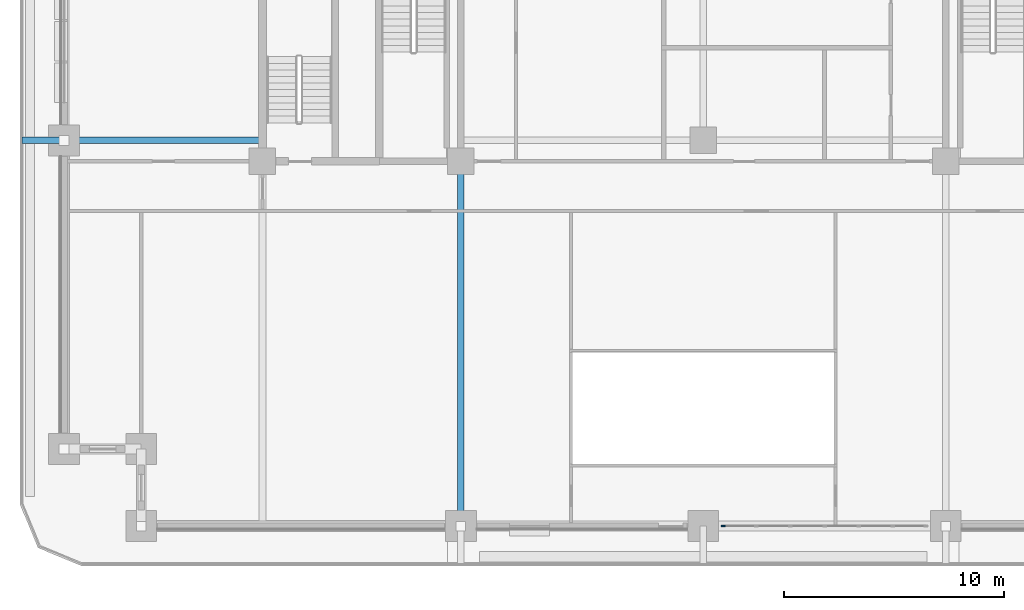
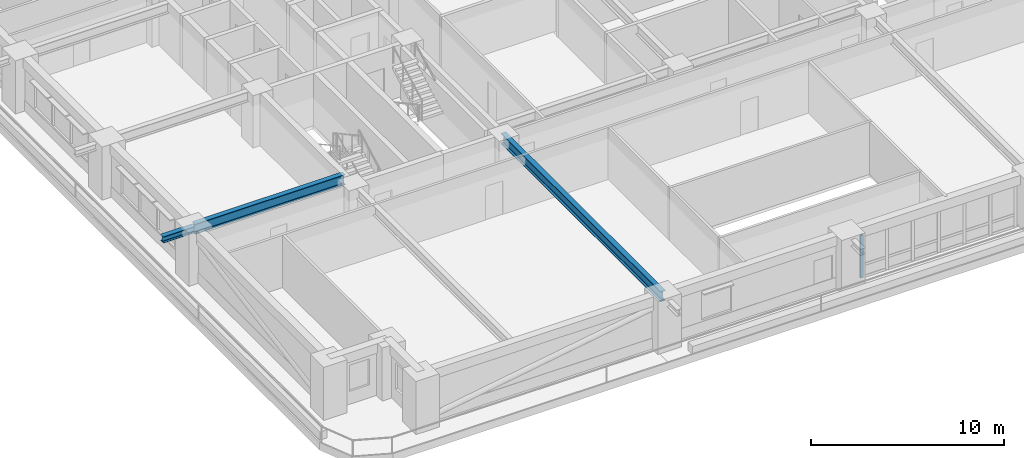
# One storey, part 2 of 20: 3 beams, 1 member, 1 element without a shape of its own.
"""IFC4 building model written with IfcOpenShell, lengths in metres."""

from ifc_helpers import new_model, si_unit, direction, frame, origin, origin_2d, place, context, subcontext, project, spatial, rectangle, i_section, extrude, material, material_profile, profile_set, type_object, element, aggregate, save


model = new_model("IFC4")

# Units and contexts
model_context = context("Model", 3, precision=1e-05, world=origin(), true_north=direction((0.0, 1.0)))
body_context = subcontext(model_context, "Body", "Model", "MODEL_VIEW")
ifc_project = project(units=[si_unit("LENGTHUNIT", "METRE"), si_unit("AREAUNIT", "SQUARE_METRE"), si_unit("VOLUMEUNIT", "CUBIC_METRE"), si_unit("PLANEANGLEUNIT", "RADIAN"), si_unit("MASSUNIT", "GRAM", prefix="KILO")], contexts=[model_context])

# Site, building, storey
site_placement = place(None, origin())
site = spatial("IfcSite", under=ifc_project, at=site_placement, CompositionType="ELEMENT")
building_placement = place(site_placement, origin())
building = spatial("IfcBuilding", under=site, at=building_placement, Name="Zulmaris Gate Convention Tower", CompositionType="ELEMENT")
storey_placement = place(building_placement, frame((0.0, 0.0, 75.0400390625)))
storey = spatial("IfcBuildingStorey", under=building, at=storey_placement, Name="L18", CompositionType="ELEMENT", Elevation=75.0400390625)

# Beams
ifc_material_1 = material(Name="Steel S355", Category="steel")
ifc_material_profile_1 = material_profile(ifc_material_1, i_section(OverallWidth=0.300048828125, OverallDepth=0.39990234375, WebThickness=0.013427734375, FlangeThickness=0.02392578125, FilletRadius=0.027099609375, at=origin_2d()), Name="HEB 400")
ifc_profile_set_1 = profile_set([ifc_material_profile_1], Name="Steel S355")
beam_type_1 = type_object("IfcBeamType", Name="BM-HEB400", PredefinedType="BEAM", material=ifc_profile_set_1)
beam_1_placement = place(storey_placement, frame((-30.89990234375, -9.0, 2.97998046875), z_axis=(1.0, 0.0, 0.0), x_axis=(0.0, 1.0, 0.0)))
element("IfcBeam", 1, at=beam_1_placement, inside=storey, type_object=beam_type_1, Name="L18 Beam TBRK-L18-W--9", PredefinedType="BEAM", context=body_context, shape_type="SweptSolid", body=[
    extrude(i_section(OverallWidth=0.300048828125, OverallDepth=0.39990234375, WebThickness=0.013427734375, FlangeThickness=0.02392578125, FilletRadius=0.027099609375, at=origin_2d()), origin(), (0.0, 0.0, 1.0), 1.89990234375),
])
ifc_material_profile_2 = material_profile(ifc_material_1, i_section(OverallWidth=0.300048828125, OverallDepth=0.64990234375, WebThickness=0.01611328125, FlangeThickness=0.031005859375, FilletRadius=0.027099609375, at=origin_2d()), Name="HEB 650")
ifc_profile_set_2 = profile_set([ifc_material_profile_2], Name="Steel S355")
beam_type_2 = type_object("IfcBeamType", Name="BM-HEB650", PredefinedType="BEAM", material=ifc_profile_set_2)
beam_2_placement = place(storey_placement, frame((-11.0, -26.5, 2.992919921875), z_axis=(0.0, 1.0, 0.0), x_axis=(-1.0, 0.0, 0.0)))
element("IfcBeam", 2, at=beam_2_placement, inside=storey, type_object=beam_type_2, Name="L18 Beam BM-L18-G08", PredefinedType="BEAM", context=body_context, shape_type="SweptSolid", body=[
    extrude(i_section(OverallWidth=0.300048828125, OverallDepth=0.64990234375, WebThickness=0.01611328125, FlangeThickness=0.031005859375, FilletRadius=0.027099609375, at=origin_2d()), origin(), (0.0, 0.0, 1.0), 16.550048828125),
])
beam_3_placement = place(storey_placement, frame((-29.0, -9.0, 2.992919921875), z_axis=(1.0, 0.0, 0.0), x_axis=(0.0, 1.0, 0.0)))
element("IfcBeam", 3, at=beam_3_placement, inside=storey, type_object=beam_type_2, Name="L18 Beam BM-L18-G16", PredefinedType="BEAM", context=body_context, shape_type="SweptSolid", body=[
    extrude(i_section(OverallWidth=0.300048828125, OverallDepth=0.64990234375, WebThickness=0.01611328125, FlangeThickness=0.031005859375, FilletRadius=0.027099609375, at=origin_2d()), origin(), (0.0, 0.0, 1.0), 9.0),
])

# Curtain wall, member
ifc_material_2 = material(Name="Anodised Aluminium", Category="aluminium")
curtain_wall_type = type_object("IfcCurtainWallType", Name="CW-05", PredefinedType="NOTDEFINED", material=ifc_material_2)
curtain_wall_placement = place(storey_placement, origin())
curtain_wall = element("IfcCurtainWall", 4, at=curtain_wall_placement, inside=storey, type_object=curtain_wall_type, Name="CW-05 CW05-L18-S-2_0", PredefinedType="NOTDEFINED")
ifc_material_profile_3 = material_profile(ifc_material_2, rectangle(XDim=0.074951171875, YDim=0.179931640625, at=origin_2d()), Name="ALU MULLION 75x180")
ifc_profile_set_3 = profile_set([ifc_material_profile_3], Name="Anodised Aluminium")
member_type = type_object("IfcMemberType", Name="CW-05-MULL", PredefinedType="MULLION", material=ifc_profile_set_3)
member_placement = place(storey_placement, frame((0.8974609375, -26.5, 0.0), z_axis=(0.0, 0.0, 1.0), x_axis=(0.0, 1.0, 0.0)))
member = element("IfcMember", 5, at=member_placement, type_object=member_type, Name="CW-05 mullion 1", PredefinedType="MULLION", context=body_context, shape_type="SweptSolid", body=[
    extrude(rectangle(XDim=0.074951171875, YDim=0.179931640625, at=origin_2d()), origin(), (0.0, 0.0, 1.0), 2.7119140625),
])
aggregate(curtain_wall, [member])

save(model, "model.ifc")
